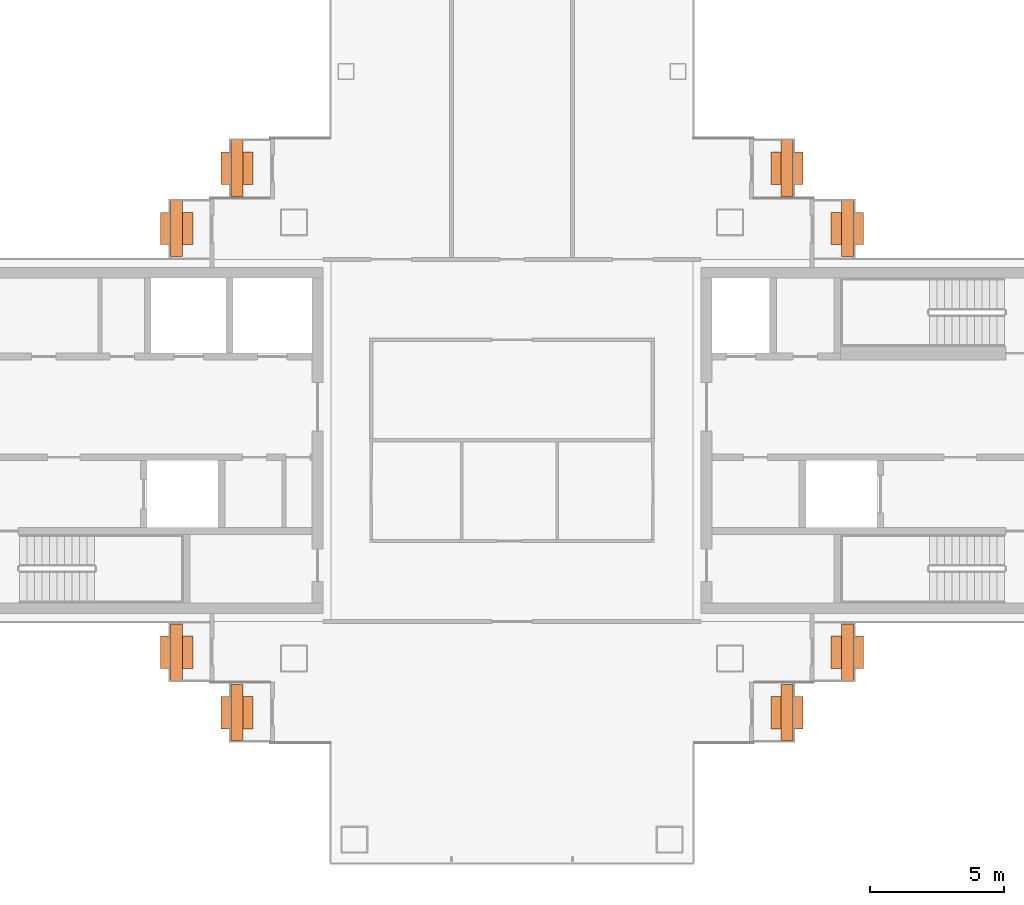
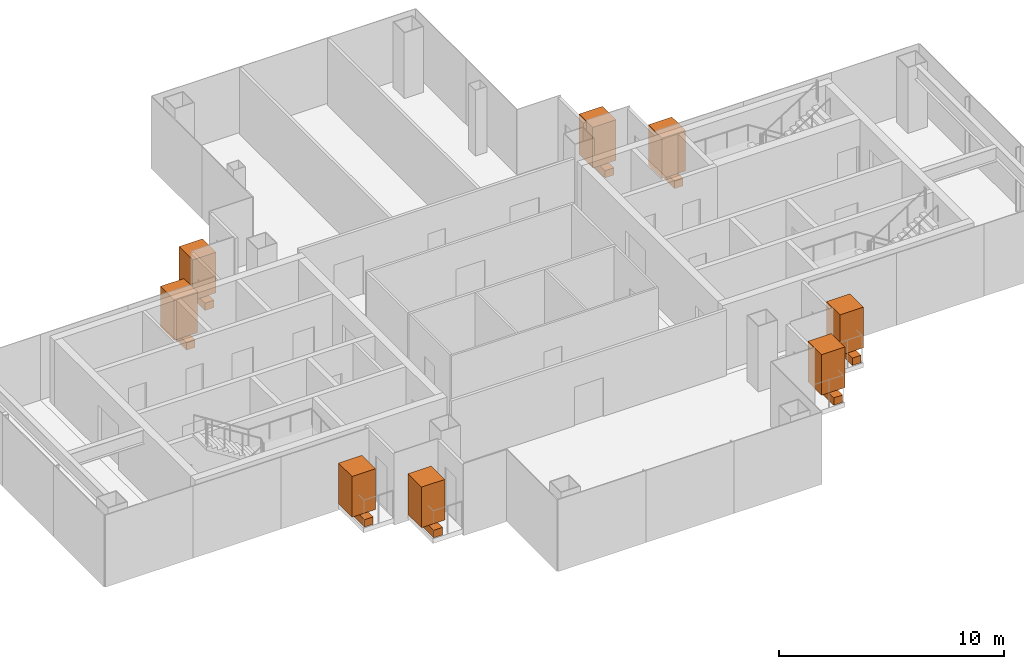
# One storey, part 16 of 16: 8 geographic elements, 8 proxies.
"""IFC4 building model written with IfcOpenShell, lengths in metres."""

from ifc_helpers import new_model, si_unit, direction, frame, origin, origin_2d, place, context, subcontext, project, spatial, rectangle, extrude, material, type_object, element, save


model = new_model("IFC4")

# Units and contexts
model_context = context("Model", 3, precision=1e-05, world=origin(), true_north=direction((0.0, 1.0)))
body_context = subcontext(model_context, "Body", "Model", "MODEL_VIEW")
ifc_project = project(units=[si_unit("LENGTHUNIT", "METRE"), si_unit("AREAUNIT", "SQUARE_METRE"), si_unit("VOLUMEUNIT", "CUBIC_METRE"), si_unit("PLANEANGLEUNIT", "RADIAN"), si_unit("MASSUNIT", "GRAM", prefix="KILO")], contexts=[model_context])

# Site, building, storey
site_placement = place(None, origin())
site = spatial("IfcSite", under=ifc_project, at=site_placement, CompositionType="ELEMENT")
building_placement = place(site_placement, origin())
building = spatial("IfcBuilding", under=site, at=building_placement, Name="Shamsa Quay Exchange Towers", CompositionType="ELEMENT")
storey_placement = place(building_placement, frame((0.0, 0.0, 186.60009765625)))
storey = spatial("IfcBuildingStorey", under=building, at=storey_placement, Name="L44", CompositionType="ELEMENT", Elevation=186.60009765625)

# Proxies
ifc_material_1 = material(Name="Reinforced concrete C30/37, black glass-fibre faced", Category="concrete")
building_element_proxy_type = type_object("IfcBuildingElementProxyType", Name="BALCONY PLANTER", PredefinedType="USERDEFINED", material=ifc_material_1)
for number, where, z_axis, x_axis, name in (
    (1, (23.5048828125, 10.14404296875, 0.0), (0.0, 0.0, 1.0), (0.0, -1.0, 0.0), "PLANTER T2-PKEN L44"),
    (2, (21.2548828125, 7.89404296875, 0.0), (0.0, 0.0, 1.0), (0.0, -1.0, 0.0), "PLANTER T2-PKEN L44"),
    (3, (43.9951171875, 10.14404296875, 0.0), (0.0, 0.0, 1.0), (0.0, 1.0, 0.0), "PLANTER T2-PKES L44"),
    (4, (46.2451171875, 7.89404296875, 0.0), (0.0, 0.0, 1.0), (0.0, 1.0, 0.0), "PLANTER T2-PKES L44"),
    (5, (21.2548828125, -7.89404296875, 0.0), (0.0, 0.0, 1.0), (0.0, -1.0, 0.0), "PLANTER T2-PKWN L44"),
    (6, (23.5048828125, -10.14404296875, 0.0), (0.0, 0.0, 1.0), (0.0, -1.0, 0.0), "PLANTER T2-PKWN L44"),
    (7, (43.9951171875, -10.14404296875, 0.0), (0.0, 0.0, 1.0), (0.0, 1.0, 0.0), "PLANTER T2-PKWS L44"),
    (8, (46.2451171875, -7.89404296875, 0.0), (0.0, 0.0, 1.0), (0.0, 1.0, 0.0), "PLANTER T2-PKWS L44"),
):
    element("IfcBuildingElementProxy", number, at=place(storey_placement, frame(where, z_axis=z_axis, x_axis=x_axis)), inside=storey, type_object=building_element_proxy_type, Name=name, ObjectType="PLANTER", PredefinedType="USERDEFINED", context=body_context, shape_type="SweptSolid", body=[
        extrude(rectangle(XDim=2.092041015625, YDim=0.449951171875, at=origin_2d()), origin(), (0.0, 0.0, 1.0), 0.39990234375),
    ])

# Geographic elements
ifc_material_2 = material(Name="Planting")
geographic_element_type = type_object("IfcGeographicElementType", Name="BALCONY TREE", PredefinedType="USERDEFINED", material=ifc_material_2)
for number, where, z_axis, x_axis, name in (
    (9, (23.5048828125, 10.14404296875, 0.39990234375), (0.0, 0.0, 1.0), (0.0, -1.0, 0.0), "TREE T2-PKEN L44"),
    (10, (21.2548828125, 7.89404296875, 0.39990234375), (0.0, 0.0, 1.0), (0.0, -1.0, 0.0), "TREE T2-PKEN L44"),
    (11, (43.9951171875, 10.14404296875, 0.39990234375), (0.0, 0.0, 1.0), (0.0, 1.0, 0.0), "TREE T2-PKES L44"),
    (12, (46.2451171875, 7.89404296875, 0.39990234375), (0.0, 0.0, 1.0), (0.0, 1.0, 0.0), "TREE T2-PKES L44"),
    (13, (21.2548828125, -7.89404296875, 0.39990234375), (0.0, 0.0, 1.0), (0.0, -1.0, 0.0), "TREE T2-PKWN L44"),
    (14, (23.5048828125, -10.14404296875, 0.39990234375), (0.0, 0.0, 1.0), (0.0, -1.0, 0.0), "TREE T2-PKWN L44"),
    (15, (43.9951171875, -10.14404296875, 0.39990234375), (0.0, 0.0, 1.0), (0.0, 1.0, 0.0), "TREE T2-PKWS L44"),
    (16, (46.2451171875, -7.89404296875, 0.39990234375), (0.0, 0.0, 1.0), (0.0, 1.0, 0.0), "TREE T2-PKWS L44"),
):
    element("IfcGeographicElement", number, at=place(storey_placement, frame(where, z_axis=z_axis, x_axis=x_axis)), inside=storey, type_object=geographic_element_type, Name=name, ObjectType="TREE", PredefinedType="USERDEFINED", context=body_context, shape_type="SweptSolid", body=[
        extrude(rectangle(XDim=1.199951171875, YDim=1.199951171875, at=origin_2d()), origin(), (0.0, 0.0, 1.0), 2.199951171875),
    ])

save(model, "model.ifc")
